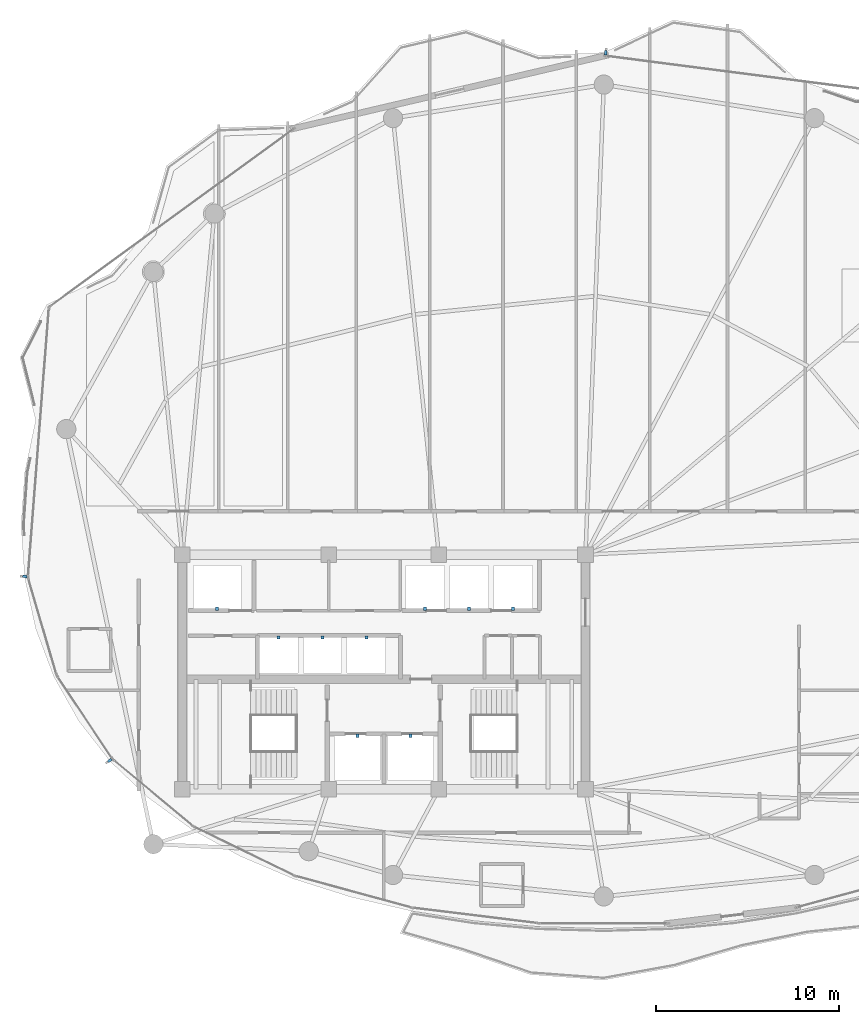
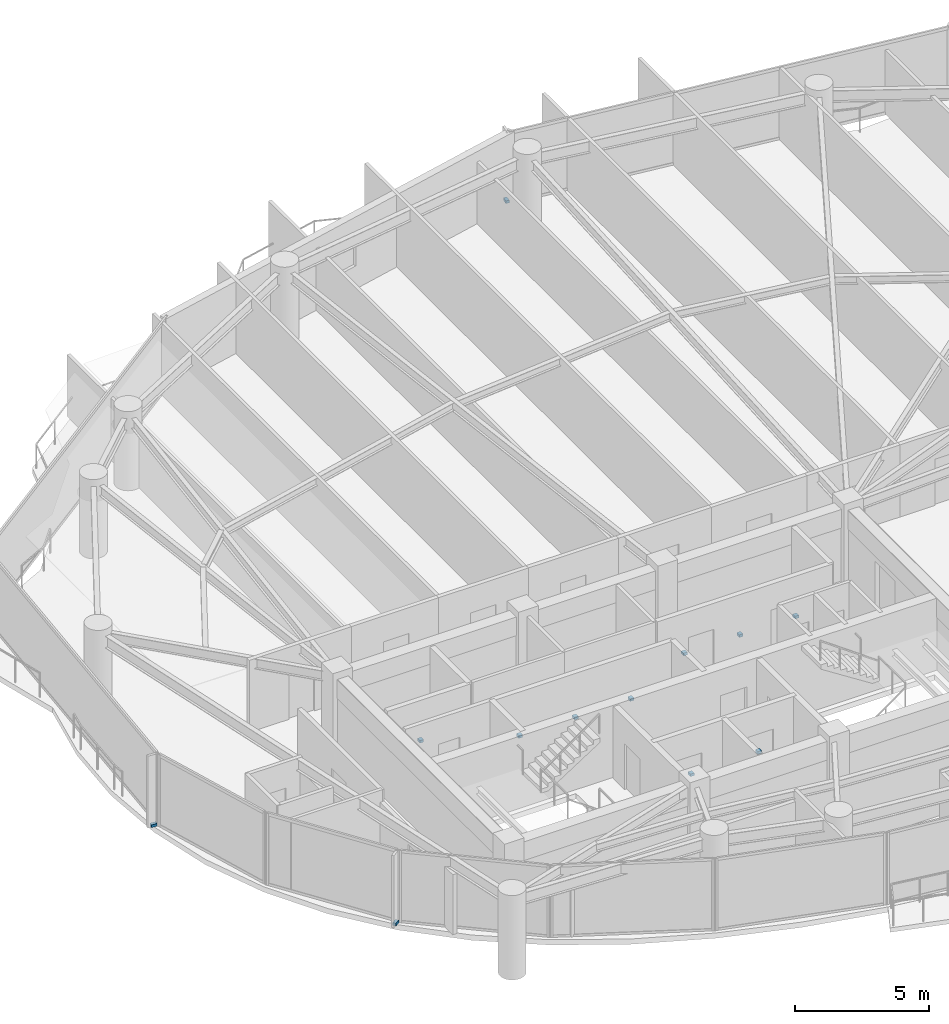
# One storey, part 28 of 31: 12 discrete accessories.
"""IFC4 building model written with IfcOpenShell, lengths in metres."""

from ifc_helpers import new_model, si_unit, direction, frame, origin, origin_2d, place, context, subcontext, project, spatial, rectangle, extrude, material, type_object, element, save


model = new_model("IFC4")

# Units and contexts
model_context = context("Model", 3, precision=1e-05, world=origin(), true_north=direction((0.0, 1.0)))
body_context = subcontext(model_context, "Body", "Model", "MODEL_VIEW")
ifc_project = project(units=[si_unit("LENGTHUNIT", "METRE"), si_unit("AREAUNIT", "SQUARE_METRE"), si_unit("VOLUMEUNIT", "CUBIC_METRE"), si_unit("PLANEANGLEUNIT", "RADIAN"), si_unit("MASSUNIT", "GRAM", prefix="KILO")], contexts=[model_context])

# Site, building, storey
site_placement = place(None, origin())
site = spatial("IfcSite", under=ifc_project, at=site_placement, CompositionType="ELEMENT")
building_placement = place(site_placement, origin())
building = spatial("IfcBuilding", under=site, at=building_placement, Name="Kazevale Care Tower and Concert Hall", CompositionType="ELEMENT")
storey_placement = place(building_placement, frame((0.0, 0.0, 187.199951171875)))
storey = spatial("IfcBuildingStorey", under=building, at=storey_placement, Name="L49", CompositionType="ELEMENT", Elevation=187.199951171875)

# Discrete accessories
ifc_material = material(Name="Stainless Steel 316", Category="steel")
discrete_accessory_type_1 = type_object("IfcDiscreteAccessoryType", Name="Facade Fin Stainless Anchor Bracket BRK-1", PredefinedType="BRACKET", material=ifc_material)
for number, where, z_axis, x_axis, name in (
    (1, (18.04443359375, 25.1689453125, 0.0), (0.0, 0.0, 1.0), (-0.832147748683, -0.554553986878, 0.0), "cw:L49:f11:brk"),
    (2, (13.41259765625, 35.210205078125, 0.0), (0.0, 0.0, 1.0), (-0.996985422604, 0.077589091471, 0.0), "cw:L49:f13:brk"),
    (3, (45.10546875, 63.785400390625, 0.0), (0.0, 0.0, 1.0), (0.128103248172, 0.991760837, 0.0), "cw:L49:f16:brk"),
):
    element("IfcDiscreteAccessory", number, at=place(storey_placement, frame(where, z_axis=z_axis, x_axis=x_axis)), inside=storey, type_object=discrete_accessory_type_1, Name=name, PredefinedType="BRACKET", context=body_context, shape_type="SweptSolid", body=[
        extrude(rectangle(XDim=0.239990234375, YDim=0.139892578125, at=origin_2d()), origin(), (0.0, 0.0, 1.0), 0.1201171875),
    ])
discrete_accessory_type_2 = type_object("IfcDiscreteAccessoryType", Name="Hoistway Guide-Rail Wall Bracket HBRK-1", PredefinedType="BRACKET", material=ifc_material)
for number, where, z_axis, x_axis, name in (
    (4, (31.550048828125, 26.52001953125, 1.239990234375), (0.0, 0.0, 1.0), (1.0, 0.0, 0.0), "hbrk:FFL-1:L49"),
    (5, (34.449951171875, 26.52001953125, 1.239990234375), (0.0, 0.0, 1.0), (1.0, 0.0, 0.0), "hbrk:FFL-2:L49"),
    (6, (23.89990234375, 33.449951171875, 1.239990234375), (0.0, 0.0, 1.0), (1.0, 0.0, 0.0), "hbrk:SVL-1:L49"),
    (7, (35.25, 33.449951171875, 1.239990234375), (0.0, 0.0, 1.0), (1.0, 0.0, 0.0), "hbrk:PM-1:L49"),
    (8, (37.64990234375, 33.449951171875, 1.239990234375), (0.0, 0.0, 1.0), (1.0, 0.0, 0.0), "hbrk:PM-2:L49"),
    (9, (40.050048828125, 33.449951171875, 1.239990234375), (0.0, 0.0, 1.0), (1.0, 0.0, 0.0), "hbrk:PM-3:L49"),
    (10, (27.25, 31.8798828125, 1.239990234375), (0.0, 0.0, 1.0), (1.0, 0.0, 0.0), "hbrk:PH-1:L49"),
    (11, (29.64990234375, 31.8798828125, 1.239990234375), (0.0, 0.0, 1.0), (1.0, 0.0, 0.0), "hbrk:PH-2:L49"),
    (12, (32.050048828125, 31.8798828125, 1.239990234375), (0.0, 0.0, 1.0), (1.0, 0.0, 0.0), "hbrk:PH-3:L49"),
):
    element("IfcDiscreteAccessory", number, at=place(storey_placement, frame(where, z_axis=z_axis, x_axis=x_axis)), inside=storey, type_object=discrete_accessory_type_2, Name=name, PredefinedType="BRACKET", context=body_context, shape_type="SweptSolid", body=[
        extrude(rectangle(XDim=0.159912109375, YDim=0.179931640625, at=origin_2d()), origin(), (0.0, 0.0, 1.0), 0.1201171875),
    ])

save(model, "model.ifc")
